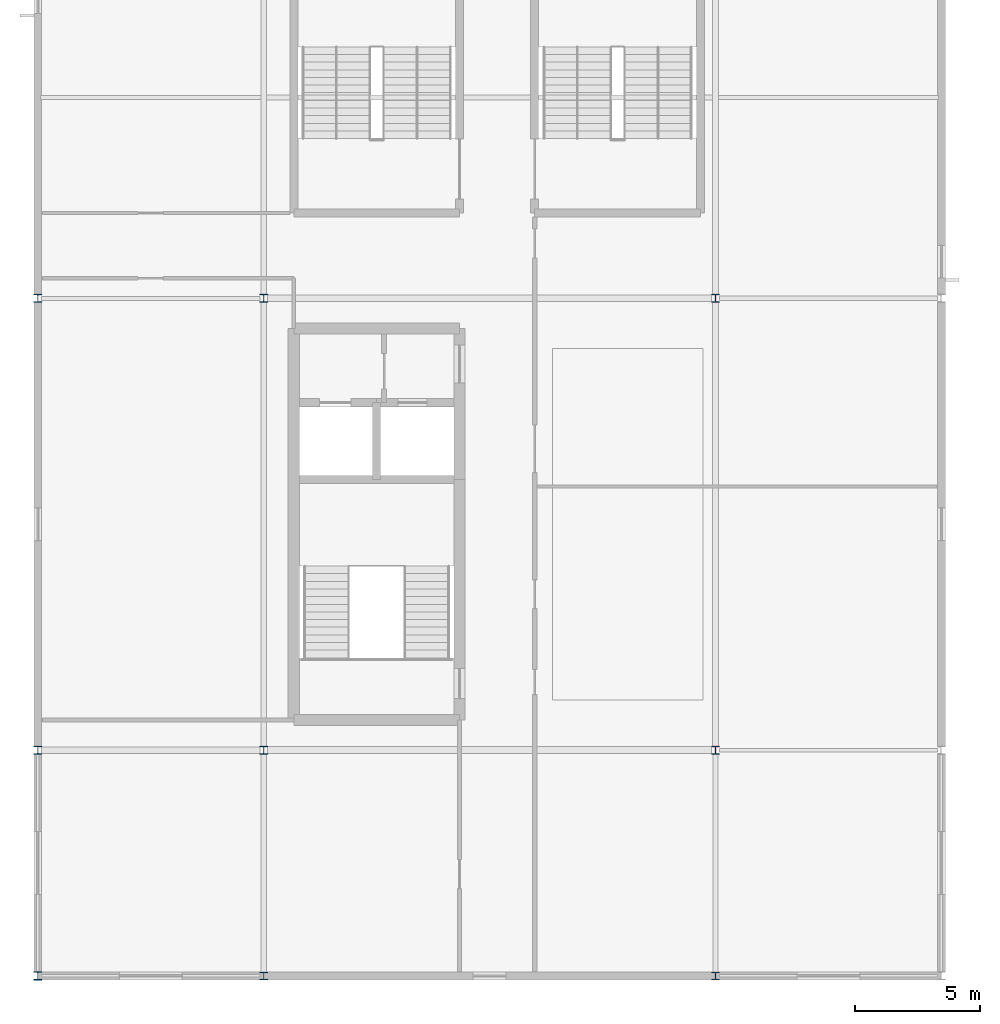
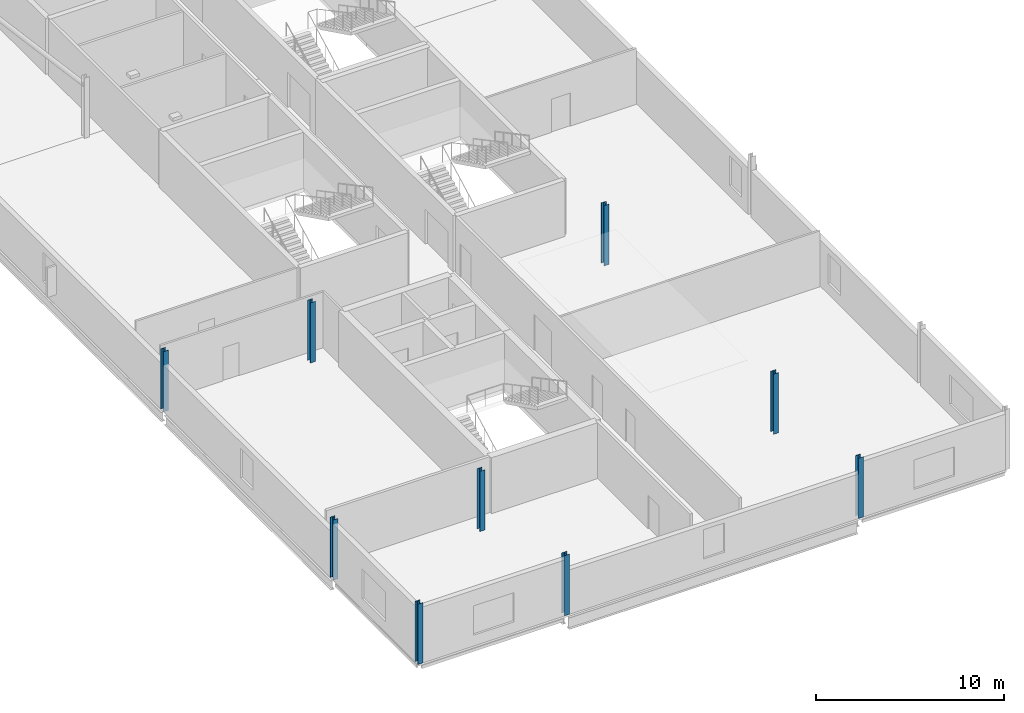
# One storey, part 1 of 31: 9 columns.
"""IFC4 building model written with IfcOpenShell, lengths in metres."""

from ifc_helpers import new_model, si_unit, direction, frame, origin, origin_2d, place, context, subcontext, project, spatial, i_section, extrude, material, material_profile, profile_set, type_object, element, save


model = new_model("IFC4")

# Units and contexts
model_context = context("Model", 3, precision=1e-05, world=origin(), true_north=direction((0.0, 1.0)))
body_context = subcontext(model_context, "Body", "Model", "MODEL_VIEW")
ifc_project = project(units=[si_unit("LENGTHUNIT", "METRE"), si_unit("AREAUNIT", "SQUARE_METRE"), si_unit("VOLUMEUNIT", "CUBIC_METRE"), si_unit("PLANEANGLEUNIT", "RADIAN"), si_unit("MASSUNIT", "GRAM", prefix="KILO")], contexts=[model_context])

# Site, building, storey
site_placement = place(None, origin())
site = spatial("IfcSite", under=ifc_project, at=site_placement, CompositionType="ELEMENT")
building_placement = place(site_placement, origin())
building = spatial("IfcBuilding", under=site, at=building_placement, Name="Kisiwana Market Hall", CompositionType="ELEMENT")
storey_placement = place(building_placement, frame((0.0, 0.0, 45.60009765625)))
storey = spatial("IfcBuildingStorey", under=building, at=storey_placement, Name="L10", CompositionType="ELEMENT", Elevation=45.60009765625)

# Columns
ifc_material_1 = material(Name="Steel S355", Category="steel")
ifc_material_profile_1 = material_profile(ifc_material_1, i_section(OverallWidth=0.300048828125, OverallDepth=0.320068359375, WebThickness=0.011474609375, FlangeThickness=0.0205078125, FilletRadius=0.027099609375, at=origin_2d()), Name="HEB 320")
ifc_profile_set_1 = profile_set([ifc_material_profile_1], Name="Steel S355")
column_type_1 = type_object("IfcColumnType", Name="COL-STL-HEB320", PredefinedType="COLUMN", material=ifc_profile_set_1)
for number, where, z_axis, x_axis, name in (
    (1, (0.0, 9.0, 0.0), (0.0, 0.0, 1.0), (1.0, 0.0, 0.0), "Column B/1 (L10) C-1266"),
    (2, (0.0, 18.0, 0.0), (0.0, 0.0, 1.0), (1.0, 0.0, 0.0), "Column C/1 (L10) C-1267"),
    (3, (0.0, 36.0, 0.0), (0.0, 0.0, 1.0), (1.0, 0.0, 0.0), "Column E/1 (L10) C-1268"),
):
    element("IfcColumn", number, at=place(storey_placement, frame(where, z_axis=z_axis, x_axis=x_axis)), inside=storey, type_object=column_type_1, Name=name, PredefinedType="COLUMN", context=body_context, shape_type="SweptSolid", body=[
        extrude(i_section(OverallWidth=0.300048828125, OverallDepth=0.320068359375, WebThickness=0.011474609375, FlangeThickness=0.0205078125, FilletRadius=0.027099609375, at=origin_2d()), origin(), (0.0, 0.0, 1.0), 3.89990234375),
    ])
ifc_material_2 = material(Name="Steel S355", Category="steel")
ifc_material_profile_2 = material_profile(ifc_material_2, i_section(OverallWidth=0.307373046875, OverallDepth=0.314453125, WebThickness=0.011962890625, FlangeThickness=0.018798828125, FilletRadius=0.01513671875, at=origin_2d()), Name="UC 305x305x118")
ifc_profile_set_2 = profile_set([ifc_material_profile_2], Name="Steel S355")
column_type_2 = type_object("IfcColumnType", Name="COL-STL-UC118", PredefinedType="COLUMN", material=ifc_profile_set_2)
for number, where, z_axis, x_axis, name in (
    (4, (9.0, 9.0, 0.0), (0.0, 0.0, 1.0), (1.0, 0.0, 0.0), "Column B/2 (L10) C-1273"),
    (5, (9.0, 18.0, 0.0), (0.0, 0.0, 1.0), (1.0, 0.0, 0.0), "Column C/2 (L10) C-1274"),
    (6, (9.0, 36.0, 0.0), (0.0, 0.0, 1.0), (1.0, 0.0, 0.0), "Column E/2 (L10) C-1275"),
    (7, (27.0, 9.0, 0.0), (0.0, 0.0, 1.0), (1.0, 0.0, 0.0), "Column B/4 (L10) C-1279"),
    (8, (27.0, 18.0, 0.0), (0.0, 0.0, 1.0), (1.0, 0.0, 0.0), "Column C/4 (L10) C-1280"),
    (9, (27.0, 36.0, 0.0), (0.0, 0.0, 1.0), (1.0, 0.0, 0.0), "Column E/4 (L10) C-1281"),
):
    element("IfcColumn", number, at=place(storey_placement, frame(where, z_axis=z_axis, x_axis=x_axis)), inside=storey, type_object=column_type_2, Name=name, PredefinedType="COLUMN", context=body_context, shape_type="SweptSolid", body=[
        extrude(i_section(OverallWidth=0.307373046875, OverallDepth=0.314453125, WebThickness=0.011962890625, FlangeThickness=0.018798828125, FilletRadius=0.01513671875, at=origin_2d()), origin(), (0.0, 0.0, 1.0), 3.89990234375),
    ])

save(model, "model.ifc")
